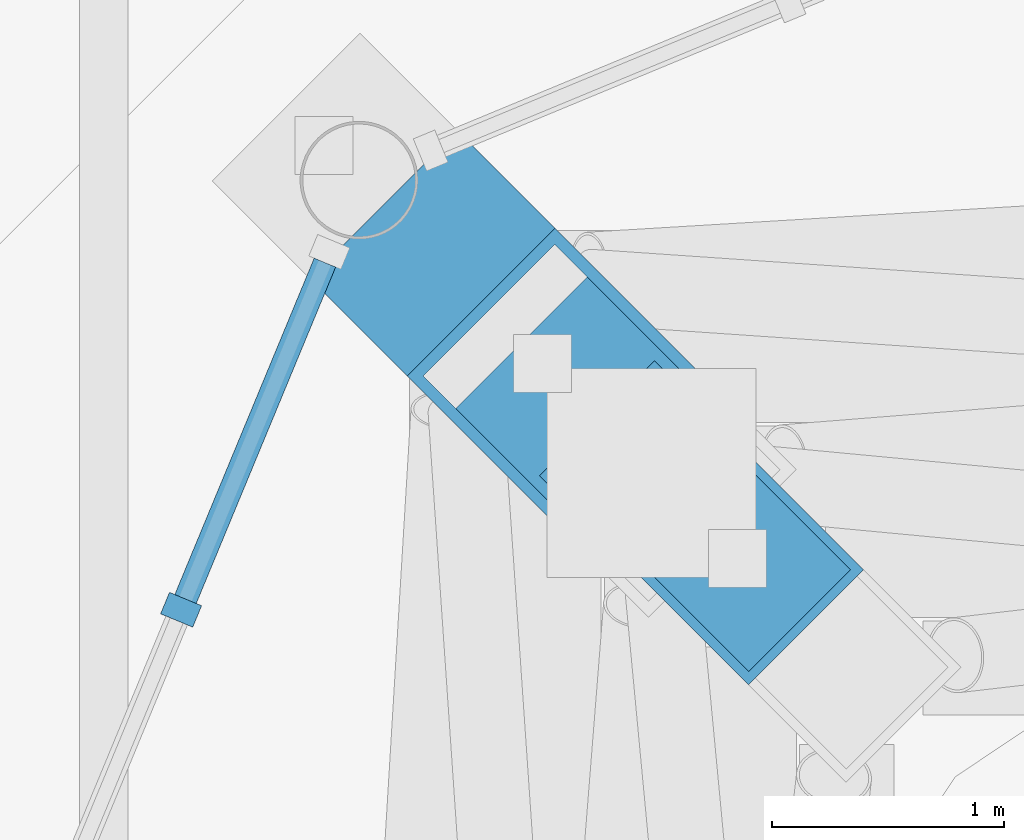
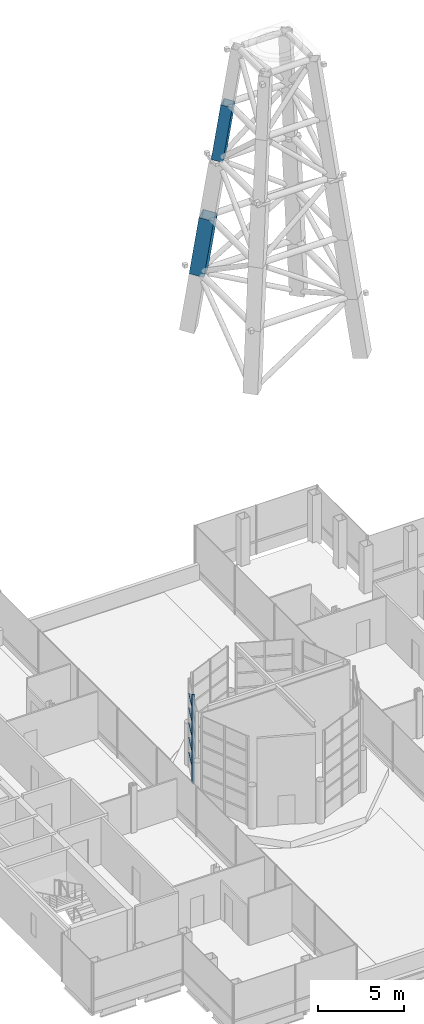
# One storey, part 12 of 32: 8 members, 1 element without a shape of its own.
"""IFC4 building model written with IfcOpenShell, lengths in metres."""

from ifc_helpers import new_model, si_unit, direction, frame, origin, origin_2d, place, context, subcontext, project, spatial, rectangle, hollow_rectangle, extrude, material, material_profile, profile_set, type_object, element, aggregate, save


model = new_model("IFC4")

# Units and contexts
model_context = context("Model", 3, precision=1e-05, world=origin(), true_north=direction((0.0, 1.0)))
body_context = subcontext(model_context, "Body", "Model", "MODEL_VIEW")
ifc_project = project(units=[si_unit("LENGTHUNIT", "METRE"), si_unit("AREAUNIT", "SQUARE_METRE"), si_unit("VOLUMEUNIT", "CUBIC_METRE"), si_unit("PLANEANGLEUNIT", "RADIAN"), si_unit("MASSUNIT", "GRAM", prefix="KILO")], contexts=[model_context])

# Site, building, storey
site_placement = place(None, origin())
site = spatial("IfcSite", under=ifc_project, at=site_placement, CompositionType="ELEMENT")
building_placement = place(site_placement, origin())
building = spatial("IfcBuilding", under=site, at=building_placement, Name="Cobrizo Arcos Hotel Tower", CompositionType="ELEMENT")
storey_placement = place(building_placement, frame((0.0, 0.0, 265.5)))
storey = spatial("IfcBuildingStorey", under=building, at=storey_placement, Name="L70", CompositionType="ELEMENT", Elevation=265.5)

# Curtain wall, members
ifc_material_1 = material(Name="Aluminium 6063-T6 anodised bronze", Category="aluminium")
curtain_wall_type = type_object("IfcCurtainWallType", Name="CW-D plant louvre wall", PredefinedType="NOTDEFINED", material=ifc_material_1)
curtain_wall_placement = place(storey_placement, origin())
curtain_wall = element("IfcCurtainWall", 1, at=curtain_wall_placement, inside=storey, type_object=curtain_wall_type, Name="CW-D drum louvre wall 4", PredefinedType="NOTDEFINED")
ifc_material_profile_1 = material_profile(ifc_material_1, rectangle(XDim=0.14990234375, YDim=0.10009765625, at=origin_2d()), Name="CW-D mullion 150x100")
ifc_profile_set_1 = profile_set([ifc_material_profile_1], Name="Aluminium 6063-T6 anodised bronze")
member_type_1 = type_object("IfcMemberType", Name="CW-D mullion 150x100", PredefinedType="MULLION", material=ifc_profile_set_1)
member_1_placement = place(storey_placement, frame((-4.46630859375, 1.85009765625, 0.5), z_axis=(0.0, 0.0, 1.0), x_axis=(-0.923879532511, 0.382683432365, 0.0)))
member_1 = element("IfcMember", 2, at=member_1_placement, type_object=member_type_1, Name="CW-D mullion 2", PredefinedType="MULLION", context=body_context, shape_type="SweptSolid", body=[
    extrude(rectangle(XDim=0.14990234375, YDim=0.10009765625, at=origin_2d()), origin(), (0.0, 0.0, 1.0), 6.300048828125),
])
ifc_material_profile_2 = material_profile(ifc_material_1, rectangle(XDim=0.10009765625, YDim=0.10009765625, at=origin_2d()), Name="CW-D transom 100x100")
ifc_profile_set_2 = profile_set([ifc_material_profile_2], Name="Aluminium 6063-T6 anodised bronze")
member_type_2 = type_object("IfcMemberType", Name="CW-D transom 100x100", PredefinedType="USERDEFINED", material=ifc_profile_set_2)
member_2_placement = place(storey_placement, frame((-3.846923828125, 3.34521484375, 1.550048828125), z_axis=(-0.382768797092, -0.923844168663, 0.0), x_axis=(0.923844168663, -0.382768797092, 0.0)))
member_2 = element("IfcMember", 3, at=member_2_placement, type_object=member_type_2, Name="CW-D transom 1-1", ObjectType="TRANSOM", PredefinedType="USERDEFINED", context=body_context, shape_type="SweptSolid", body=[
    extrude(rectangle(XDim=0.10009765625, YDim=0.10009765625, at=origin_2d()), origin(), (0.0, 0.0, 1.0), 1.568359375),
])
member_3_placement = place(storey_placement, frame((-3.846923828125, 3.34521484375, 2.60009765625), z_axis=(-0.382768797092, -0.923844168663, 0.0), x_axis=(0.923844168663, -0.382768797092, 0.0)))
member_3 = element("IfcMember", 4, at=member_3_placement, type_object=member_type_2, Name="CW-D transom 1-2", ObjectType="TRANSOM", PredefinedType="USERDEFINED", context=body_context, shape_type="SweptSolid", body=[
    extrude(rectangle(XDim=0.10009765625, YDim=0.10009765625, at=origin_2d()), origin(), (0.0, 0.0, 1.0), 1.568359375),
])
member_4_placement = place(storey_placement, frame((-3.846923828125, 3.34521484375, 3.64990234375), z_axis=(-0.382768797092, -0.923844168663, 0.0), x_axis=(0.923844168663, -0.382768797092, 0.0)))
member_4 = element("IfcMember", 5, at=member_4_placement, type_object=member_type_2, Name="CW-D transom 1-3", ObjectType="TRANSOM", PredefinedType="USERDEFINED", context=body_context, shape_type="SweptSolid", body=[
    extrude(rectangle(XDim=0.10009765625, YDim=0.10009765625, at=origin_2d()), origin(), (0.0, 0.0, 1.0), 1.568359375),
])
member_5_placement = place(storey_placement, frame((-3.846923828125, 3.34521484375, 4.699951171875), z_axis=(-0.382768797092, -0.923844168663, 0.0), x_axis=(0.923844168663, -0.382768797092, 0.0)))
member_5 = element("IfcMember", 6, at=member_5_placement, type_object=member_type_2, Name="CW-D transom 1-4", ObjectType="TRANSOM", PredefinedType="USERDEFINED", context=body_context, shape_type="SweptSolid", body=[
    extrude(rectangle(XDim=0.10009765625, YDim=0.10009765625, at=origin_2d()), origin(), (0.0, 0.0, 1.0), 1.568359375),
])
member_6_placement = place(storey_placement, frame((-3.846923828125, 3.34521484375, 5.75), z_axis=(-0.382768797092, -0.923844168663, 0.0), x_axis=(0.923844168663, -0.382768797092, 0.0)))
member_6 = element("IfcMember", 7, at=member_6_placement, type_object=member_type_2, Name="CW-D transom 1-5", ObjectType="TRANSOM", PredefinedType="USERDEFINED", context=body_context, shape_type="SweptSolid", body=[
    extrude(rectangle(XDim=0.10009765625, YDim=0.10009765625, at=origin_2d()), origin(), (0.0, 0.0, 1.0), 1.568359375),
])
aggregate(curtain_wall, [member_1, member_2, member_3, member_4, member_5, member_6])

# Members
ifc_material_2 = material(Name="Steel ASTM A572 Grade 50", Category="steel")
ifc_material_profile_3 = material_profile(ifc_material_2, hollow_rectangle(XDim=0.699951171875, YDim=0.699951171875, WallThickness=0.0400390625, at=origin_2d()), Name="BOX 700X700X40")
ifc_profile_set_3 = profile_set([ifc_material_profile_3], Name="Steel ASTM A572 Grade 50")
member_type_3 = type_object("IfcMemberType", Name="MAST leg BOX 700X700X40", PredefinedType="CHORD", material=ifc_profile_set_3)
member_7_placement = place(storey_placement, frame((-2.4296875, 2.4296875, 43.89990234375), z_axis=(0.101359328095, -0.101359328095, 0.989672962759), x_axis=(0.707106781187, 0.707106781187, 0.0)))
element("IfcMember", 8, at=member_7_placement, inside=storey, type_object=member_type_3, Name="MAST leg NW stage 4", PredefinedType="CHORD", context=body_context, shape_type="SweptSolid", body=[
    extrude(hollow_rectangle(XDim=0.699951171875, YDim=0.699951171875, WallThickness=0.0400390625, at=origin_2d()), origin(), (0.0, 0.0, 1.0), 4.041748046875),
])
ifc_material_profile_4 = material_profile(ifc_material_2, hollow_rectangle(XDim=0.89990234375, YDim=0.89990234375, WallThickness=0.050048828125, at=origin_2d()), Name="BOX 900X900X50")
ifc_profile_set_4 = profile_set([ifc_material_profile_4], Name="Steel ASTM A572 Grade 50")
member_type_4 = type_object("IfcMemberType", Name="MAST leg BOX 900X900X50", PredefinedType="CHORD", material=ifc_profile_set_4)
member_8_placement = place(storey_placement, frame((-3.280029296875, 3.280029296875, 35.60009765625), z_axis=(0.101365761291, -0.101365761291, 0.989671644979), x_axis=(0.707106781187, 0.707106781187, 0.0)))
element("IfcMember", 9, at=member_8_placement, inside=storey, type_object=member_type_4, Name="MAST leg NW stage 2", PredefinedType="CHORD", context=body_context, shape_type="SweptSolid", body=[
    extrude(hollow_rectangle(XDim=0.89990234375, YDim=0.89990234375, WallThickness=0.050048828125, at=origin_2d()), origin(), (0.0, 0.0, 1.0), 4.142578125),
])

save(model, "model.ifc")
